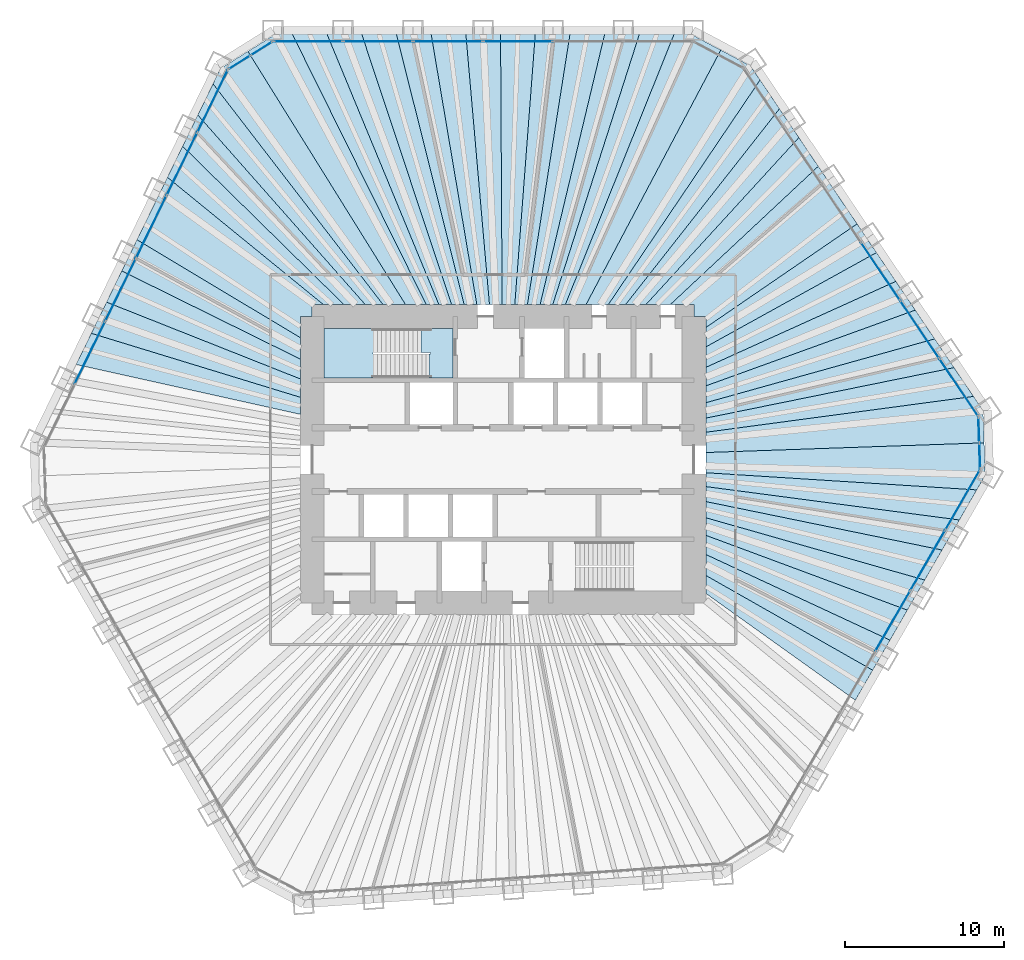
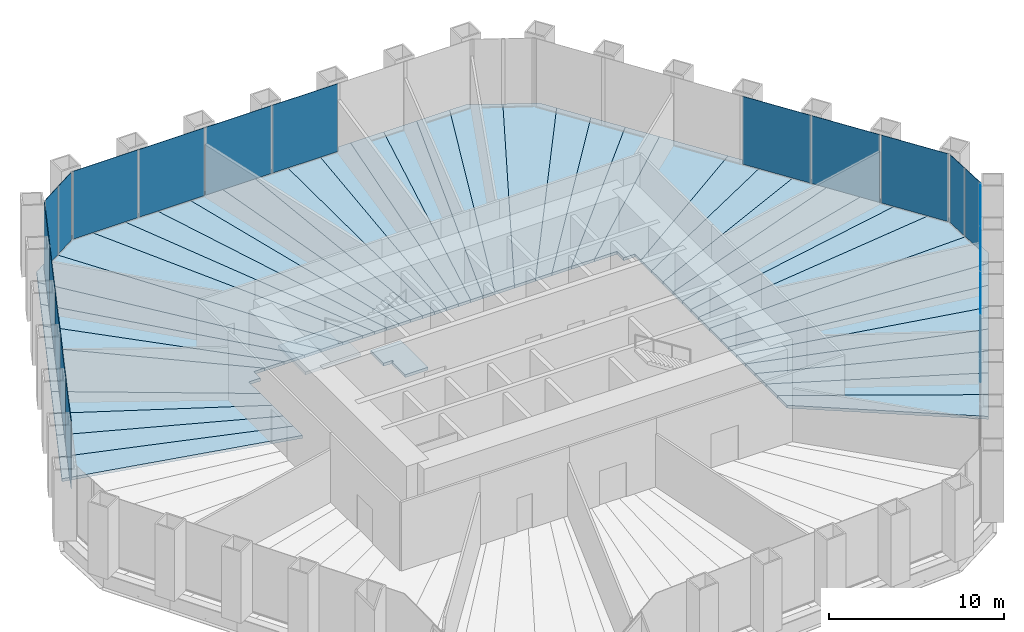
# One storey, part 9 of 13: 44 slabs, 19 plates, 7 elements without a shape of their own.
"""IFC4 building model written with IfcOpenShell, lengths in metres."""

from ifc_helpers import new_model, si_unit, direction, frame, origin, origin_2d, place, context, subcontext, project, spatial, polyline, rectangle, outline, extrude, material, layer, layer_set, type_object, element, aggregate, save


model = new_model("IFC4")

# Units and contexts
model_context = context("Model", 3, precision=1e-05, world=origin(), true_north=direction((0.0, 1.0)))
body_context = subcontext(model_context, "Body", "Model", "MODEL_VIEW")
ifc_project = project(units=[si_unit("LENGTHUNIT", "METRE"), si_unit("AREAUNIT", "SQUARE_METRE"), si_unit("VOLUMEUNIT", "CUBIC_METRE"), si_unit("PLANEANGLEUNIT", "RADIAN"), si_unit("MASSUNIT", "GRAM", prefix="KILO")], contexts=[model_context])

# Site, building, storey
site_placement = place(None, origin())
site = spatial("IfcSite", under=ifc_project, at=site_placement, CompositionType="ELEMENT")
building_placement = place(site_placement, origin())
building = spatial("IfcBuilding", under=site, at=building_placement, Name="Qingtian Harvest Tower", CompositionType="ELEMENT")
storey_placement = place(building_placement, frame((0.0, 0.0, 72.0)))
storey = spatial("IfcBuildingStorey", under=building, at=storey_placement, Name="L14", CompositionType="ELEMENT", Elevation=72.0)

# Slabs
ifc_material_1 = material(Name="Concrete fc' 35 MPa", Category="concrete")
ifc_layer_1 = layer(ifc_material_1, 0.199951171875)
ifc_layer_set_1 = layer_set([ifc_layer_1], Name="Composite floor slab FS20 200")
slab_type_1 = type_object("IfcSlabType", Name="Composite floor slab FS20 200", PredefinedType="FLOOR", material=ifc_layer_set_1)
slab_1_placement = place(storey_placement, frame((0.0, 0.0, -0.199951171875)))
element("IfcSlab", 1, at=slab_1_placement, inside=storey, type_object=slab_type_1, Name="Floor slab L14 panel D32", PredefinedType="FLOOR", context=body_context, shape_type="SweptSolid", body=[
    extrude(outline(polyline([(12.75, -7.279052734375), (23.247802734375, -13.243408203125), (22.159423828125, -15.128662109375), (12.75, -8.4091796875), (12.75, -7.279052734375)])), origin(), (0.0, 0.0, 1.0), 0.199951171875),
])
slab_2_placement = place(storey_placement, frame((0.0, 0.0, -0.199951171875)))
element("IfcSlab", 2, at=slab_2_placement, inside=storey, type_object=slab_type_1, Name="Floor slab L14 panel D33", PredefinedType="FLOOR", context=body_context, shape_type="SweptSolid", body=[
    extrude(outline(polyline([(12.75, -5.96142578125), (24.339111328125, -11.353515625), (23.247802734375, -13.243408203125), (12.75, -7.279052734375), (12.75, -5.96142578125)])), origin(), (0.0, 0.0, 1.0), 0.199951171875),
])
slab_3_placement = place(storey_placement, frame((0.0, 0.0, -0.199951171875)))
element("IfcSlab", 3, at=slab_3_placement, inside=storey, type_object=slab_type_1, Name="Floor slab L14 panel D34", PredefinedType="FLOOR", context=body_context, shape_type="SweptSolid", body=[
    extrude(outline(polyline([(12.75, -4.757080078125), (25.43017578125, -9.46337890625), (24.339111328125, -11.353515625), (12.75, -5.96142578125), (12.75, -4.757080078125)])), origin(), (0.0, 0.0, 1.0), 0.199951171875),
])
slab_4_placement = place(storey_placement, frame((0.0, 0.0, -0.199951171875)))
element("IfcSlab", 4, at=slab_4_placement, inside=storey, type_object=slab_type_1, Name="Floor slab L14 panel D35", PredefinedType="FLOOR", context=body_context, shape_type="SweptSolid", body=[
    extrude(outline(polyline([(12.75, -3.651611328125), (26.521484375, -7.573486328125), (25.43017578125, -9.46337890625), (12.75, -4.757080078125), (12.75, -3.651611328125)])), origin(), (0.0, 0.0, 1.0), 0.199951171875),
])
slab_5_placement = place(storey_placement, frame((0.0, 0.0, -0.199951171875)))
element("IfcSlab", 5, at=slab_5_placement, inside=storey, type_object=slab_type_1, Name="Floor slab L14 panel D36", PredefinedType="FLOOR", context=body_context, shape_type="SweptSolid", body=[
    extrude(outline(polyline([(12.75, -2.634033203125), (27.612548828125, -5.68359375), (26.521484375, -7.573486328125), (12.75, -3.651611328125), (12.75, -2.634033203125)])), origin(), (0.0, 0.0, 1.0), 0.199951171875),
])
slab_6_placement = place(storey_placement, frame((0.0, 0.0, -0.199951171875)))
element("IfcSlab", 6, at=slab_6_placement, inside=storey, type_object=slab_type_1, Name="Floor slab L14 panel D37", PredefinedType="FLOOR", context=body_context, shape_type="SweptSolid", body=[
    extrude(outline(polyline([(12.75, -1.693603515625), (28.703857421875, -3.793701171875), (27.612548828125, -5.68359375), (12.75, -2.634033203125), (12.75, -1.693603515625)])), origin(), (0.0, 0.0, 1.0), 0.199951171875),
])
slab_7_placement = place(storey_placement, frame((0.0, 0.0, -0.199951171875)))
element("IfcSlab", 7, at=slab_7_placement, inside=storey, type_object=slab_type_1, Name="Floor slab L14 panel D38", PredefinedType="FLOOR", context=body_context, shape_type="SweptSolid", body=[
    extrude(outline(polyline([(12.75, -0.822265625), (29.794921875, -1.903564453125), (28.703857421875, -3.793701171875), (12.75, -1.693603515625), (12.75, -0.822265625)])), origin(), (0.0, 0.0, 1.0), 0.199951171875),
])
slab_8_placement = place(storey_placement, frame((0.0, 0.0, -0.199951171875)))
element("IfcSlab", 8, at=slab_8_placement, inside=storey, type_object=slab_type_1, Name="Floor slab L14 panel D39", PredefinedType="FLOOR", context=body_context, shape_type="SweptSolid", body=[
    extrude(outline(polyline([(12.75, -0.822265625), (12.75, 0.447265625), (30.2587890625, 1.056640625), (30.32958984375, -0.9775390625), (29.794921875, -1.903564453125), (12.75, -0.822265625)])), origin(), (0.0, 0.0, 1.0), 0.199951171875),
])
slab_9_placement = place(storey_placement, frame((0.0, 0.0, -0.199951171875)))
element("IfcSlab", 9, at=slab_9_placement, inside=storey, type_object=slab_type_1, Name="Floor slab L14 panel D40", PredefinedType="FLOOR", context=body_context, shape_type="SweptSolid", body=[
    extrude(outline(polyline([(12.75, 0.447265625), (12.75, 1.72265625), (29.589599609375, 3.977294921875), (30.187744140625, 3.0908203125), (30.2587890625, 1.056640625), (12.75, 0.447265625)])), origin(), (0.0, 0.0, 1.0), 0.199951171875),
])
slab_10_placement = place(storey_placement, frame((0.0, 0.0, -0.199951171875)))
element("IfcSlab", 10, at=slab_10_placement, inside=storey, type_object=slab_type_1, Name="Floor slab L14 panel D41", PredefinedType="FLOOR", context=body_context, shape_type="SweptSolid", body=[
    extrude(outline(polyline([(12.75, 2.610595703125), (28.369140625, 5.78662109375), (29.589599609375, 3.977294921875), (12.75, 1.72265625), (12.75, 2.610595703125)])), origin(), (0.0, 0.0, 1.0), 0.199951171875),
])
slab_11_placement = place(storey_placement, frame((0.0, 0.0, -0.199951171875)))
element("IfcSlab", 11, at=slab_11_placement, inside=storey, type_object=slab_type_1, Name="Floor slab L14 panel D42", PredefinedType="FLOOR", context=body_context, shape_type="SweptSolid", body=[
    extrude(outline(polyline([(12.75, 3.57861328125), (27.14892578125, 7.595947265625), (28.369140625, 5.78662109375), (12.75, 2.610595703125), (12.75, 3.57861328125)])), origin(), (0.0, 0.0, 1.0), 0.199951171875),
])
slab_12_placement = place(storey_placement, frame((0.0, 0.0, -0.199951171875)))
element("IfcSlab", 12, at=slab_12_placement, inside=storey, type_object=slab_type_1, Name="Floor slab L14 panel D43", PredefinedType="FLOOR", context=body_context, shape_type="SweptSolid", body=[
    extrude(outline(polyline([(12.75, 4.6376953125), (25.928466796875, 9.405029296875), (27.14892578125, 7.595947265625), (12.75, 3.57861328125), (12.75, 4.6376953125)])), origin(), (0.0, 0.0, 1.0), 0.199951171875),
])
slab_13_placement = place(storey_placement, frame((0.0, 0.0, -0.199951171875)))
element("IfcSlab", 13, at=slab_13_placement, inside=storey, type_object=slab_type_1, Name="Floor slab L14 panel D44", PredefinedType="FLOOR", context=body_context, shape_type="SweptSolid", body=[
    extrude(outline(polyline([(12.75, 5.8017578125), (24.708251953125, 11.21435546875), (25.928466796875, 9.405029296875), (12.75, 4.6376953125), (12.75, 5.8017578125)])), origin(), (0.0, 0.0, 1.0), 0.199951171875),
])
slab_14_placement = place(storey_placement, frame((0.0, 0.0, -0.199951171875)))
element("IfcSlab", 14, at=slab_14_placement, inside=storey, type_object=slab_type_1, Name="Floor slab L14 panel D45", PredefinedType="FLOOR", context=body_context, shape_type="SweptSolid", body=[
    extrude(outline(polyline([(12.75, 7.087158203125), (23.48779296875, 13.023681640625), (24.708251953125, 11.21435546875), (12.75, 5.8017578125), (12.75, 7.087158203125)])), origin(), (0.0, 0.0, 1.0), 0.199951171875),
])
slab_15_placement = place(storey_placement, frame((0.0, 0.0, -0.199951171875)))
element("IfcSlab", 15, at=slab_15_placement, inside=storey, type_object=slab_type_1, Name="Floor slab L14 panel D46", PredefinedType="FLOOR", context=body_context, shape_type="SweptSolid", body=[
    extrude(outline(polyline([(12.75, 8.30615234375), (22.26953125, 14.829833984375), (23.48779296875, 13.023681640625), (12.75, 7.087158203125), (12.75, 8.30615234375)])), origin(), (0.0, 0.0, 1.0), 0.199951171875),
])
slab_16_placement = place(storey_placement, frame((0.0, 0.0, -0.199951171875)))
element("IfcSlab", 16, at=slab_16_placement, inside=storey, type_object=slab_type_1, Name="Floor slab L14 panel D48", PredefinedType="FLOOR", context=body_context, shape_type="SweptSolid", body=[
    extrude(outline(polyline([(19.8271484375, 18.45068359375), (22.26953125, 14.829833984375), (12.75, 8.30615234375), (12.75, 9.0), (12.0, 9.0), (12.0, 9.75), (10.51806640625, 9.75), (19.8271484375, 18.45068359375)])), origin(), (0.0, 0.0, 1.0), 0.199951171875),
])
slab_17_placement = place(storey_placement, frame((0.0, 0.0, -0.199951171875)))
element("IfcSlab", 17, at=slab_17_placement, inside=storey, type_object=slab_type_1, Name="Floor slab L14 panel D49", PredefinedType="FLOOR", context=body_context, shape_type="SweptSolid", body=[
    extrude(outline(polyline([(8.985107421875, 9.75), (18.60693359375, 20.260009765625), (19.8271484375, 18.45068359375), (10.51806640625, 9.75), (8.985107421875, 9.75)])), origin(), (0.0, 0.0, 1.0), 0.199951171875),
])
slab_18_placement = place(storey_placement, frame((0.0, 0.0, -0.199951171875)))
element("IfcSlab", 18, at=slab_18_placement, inside=storey, type_object=slab_type_1, Name="Floor slab L14 panel D50", PredefinedType="FLOOR", context=body_context, shape_type="SweptSolid", body=[
    extrude(outline(polyline([(7.705078125, 9.75), (17.386474609375, 22.0693359375), (18.60693359375, 20.260009765625), (8.985107421875, 9.75), (7.705078125, 9.75)])), origin(), (0.0, 0.0, 1.0), 0.199951171875),
])
slab_19_placement = place(storey_placement, frame((0.0, 0.0, -0.199951171875)))
element("IfcSlab", 19, at=slab_19_placement, inside=storey, type_object=slab_type_1, Name="Floor slab L14 panel D51", PredefinedType="FLOOR", context=body_context, shape_type="SweptSolid", body=[
    extrude(outline(polyline([(6.61962890625, 9.75), (16.166015625, 23.87841796875), (17.386474609375, 22.0693359375), (7.705078125, 9.75), (6.61962890625, 9.75)])), origin(), (0.0, 0.0, 1.0), 0.199951171875),
])
slab_20_placement = place(storey_placement, frame((0.0, 0.0, -0.199951171875)))
element("IfcSlab", 20, at=slab_20_placement, inside=storey, type_object=slab_type_1, Name="Floor slab L14 panel D52", PredefinedType="FLOOR", context=body_context, shape_type="SweptSolid", body=[
    extrude(outline(polyline([(6.61962890625, 9.75), (5.21875, 9.75), (13.697265625, 25.760009765625), (15.56787109375, 24.765380859375), (16.166015625, 23.87841796875), (6.61962890625, 9.75)])), origin(), (0.0, 0.0, 1.0), 0.199951171875),
])
slab_21_placement = place(storey_placement, frame((0.0, 0.0, -0.199951171875)))
element("IfcSlab", 21, at=slab_21_placement, inside=storey, type_object=slab_type_1, Name="Floor slab L14 panel D53", PredefinedType="FLOOR", context=body_context, shape_type="SweptSolid", body=[
    extrude(outline(polyline([(3.919921875, 9.75), (10.756591796875, 26.7548828125), (11.825927734375, 26.7548828125), (13.697265625, 25.760009765625), (5.21875, 9.75), (3.919921875, 9.75)])), origin(), (0.0, 0.0, 1.0), 0.199951171875),
])
slab_22_placement = place(storey_placement, frame((0.0, 0.0, -0.199951171875)))
element("IfcSlab", 22, at=slab_22_placement, inside=storey, type_object=slab_type_1, Name="Floor slab L14 panel D54", PredefinedType="FLOOR", context=body_context, shape_type="SweptSolid", body=[
    extrude(outline(polyline([(3.12451171875, 9.75), (8.57421875, 26.7548828125), (10.756591796875, 26.7548828125), (3.919921875, 9.75), (3.12451171875, 9.75)])), origin(), (0.0, 0.0, 1.0), 0.199951171875),
])
slab_23_placement = place(storey_placement, frame((0.0, 0.0, -0.199951171875)))
element("IfcSlab", 23, at=slab_23_placement, inside=storey, type_object=slab_type_1, Name="Floor slab L14 panel D55", PredefinedType="FLOOR", context=body_context, shape_type="SweptSolid", body=[
    extrude(outline(polyline([(2.329345703125, 9.75), (6.391845703125, 26.7548828125), (8.57421875, 26.7548828125), (3.12451171875, 9.75), (2.329345703125, 9.75)])), origin(), (0.0, 0.0, 1.0), 0.199951171875),
])
slab_24_placement = place(storey_placement, frame((0.0, 0.0, -0.199951171875)))
element("IfcSlab", 24, at=slab_24_placement, inside=storey, type_object=slab_type_1, Name="Floor slab L14 panel D56", PredefinedType="FLOOR", context=body_context, shape_type="SweptSolid", body=[
    extrude(outline(polyline([(1.533935546875, 9.75), (4.20947265625, 26.7548828125), (6.391845703125, 26.7548828125), (2.329345703125, 9.75), (1.533935546875, 9.75)])), origin(), (0.0, 0.0, 1.0), 0.199951171875),
])
slab_25_placement = place(storey_placement, frame((0.0, 0.0, -0.199951171875)))
element("IfcSlab", 25, at=slab_25_placement, inside=storey, type_object=slab_type_1, Name="Floor slab L14 panel D57", PredefinedType="FLOOR", context=body_context, shape_type="SweptSolid", body=[
    extrude(outline(polyline([(0.73876953125, 9.75), (2.02734375, 26.7548828125), (4.20947265625, 26.7548828125), (1.533935546875, 9.75), (0.73876953125, 9.75)])), origin(), (0.0, 0.0, 1.0), 0.199951171875),
])
slab_26_placement = place(storey_placement, frame((0.0, 0.0, -0.199951171875)))
element("IfcSlab", 26, at=slab_26_placement, inside=storey, type_object=slab_type_1, Name="Floor slab L14 panel D58", PredefinedType="FLOOR", context=body_context, shape_type="SweptSolid", body=[
    extrude(outline(polyline([(-0.056396484375, 9.75), (-0.155029296875, 26.7548828125), (2.02734375, 26.7548828125), (0.73876953125, 9.75), (-0.056396484375, 9.75)])), origin(), (0.0, 0.0, 1.0), 0.199951171875),
])
slab_27_placement = place(storey_placement, frame((0.0, 0.0, -0.199951171875)))
element("IfcSlab", 27, at=slab_27_placement, inside=storey, type_object=slab_type_1, Name="Floor slab L14 panel D59", PredefinedType="FLOOR", context=body_context, shape_type="SweptSolid", body=[
    extrude(outline(polyline([(-0.851806640625, 9.75), (-2.33740234375, 26.7548828125), (-0.155029296875, 26.7548828125), (-0.056396484375, 9.75), (-0.851806640625, 9.75)])), origin(), (0.0, 0.0, 1.0), 0.199951171875),
])
slab_28_placement = place(storey_placement, frame((0.0, 0.0, -0.199951171875)))
element("IfcSlab", 28, at=slab_28_placement, inside=storey, type_object=slab_type_1, Name="Floor slab L14 panel D60", PredefinedType="FLOOR", context=body_context, shape_type="SweptSolid", body=[
    extrude(outline(polyline([(-1.64697265625, 9.75), (-4.519775390625, 26.7548828125), (-2.33740234375, 26.7548828125), (-0.851806640625, 9.75), (-1.64697265625, 9.75)])), origin(), (0.0, 0.0, 1.0), 0.199951171875),
])
slab_29_placement = place(storey_placement, frame((0.0, 0.0, -0.199951171875)))
element("IfcSlab", 29, at=slab_29_placement, inside=storey, type_object=slab_type_1, Name="Floor slab L14 panel D61", PredefinedType="FLOOR", context=body_context, shape_type="SweptSolid", body=[
    extrude(outline(polyline([(-2.4423828125, 9.75), (-6.7021484375, 26.7548828125), (-4.519775390625, 26.7548828125), (-1.64697265625, 9.75), (-2.4423828125, 9.75)])), origin(), (0.0, 0.0, 1.0), 0.199951171875),
])
slab_30_placement = place(storey_placement, frame((0.0, 0.0, -0.199951171875)))
element("IfcSlab", 30, at=slab_30_placement, inside=storey, type_object=slab_type_1, Name="Floor slab L14 panel D62", PredefinedType="FLOOR", context=body_context, shape_type="SweptSolid", body=[
    extrude(outline(polyline([(-3.237548828125, 9.75), (-8.88427734375, 26.7548828125), (-6.7021484375, 26.7548828125), (-2.4423828125, 9.75), (-3.237548828125, 9.75)])), origin(), (0.0, 0.0, 1.0), 0.199951171875),
])
slab_31_placement = place(storey_placement, frame((0.0, 0.0, -0.199951171875)))
element("IfcSlab", 31, at=slab_31_placement, inside=storey, type_object=slab_type_1, Name="Floor slab L14 panel D63", PredefinedType="FLOOR", context=body_context, shape_type="SweptSolid", body=[
    extrude(outline(polyline([(-4.032958984375, 9.75), (-11.066650390625, 26.7548828125), (-8.88427734375, 26.7548828125), (-3.237548828125, 9.75), (-4.032958984375, 9.75)])), origin(), (0.0, 0.0, 1.0), 0.199951171875),
])
slab_32_placement = place(storey_placement, frame((0.0, 0.0, -0.199951171875)))
element("IfcSlab", 32, at=slab_32_placement, inside=storey, type_object=slab_type_1, Name="Floor slab L14 panel D64", PredefinedType="FLOOR", context=body_context, shape_type="SweptSolid", body=[
    extrude(outline(polyline([(-4.828125, 9.75), (-13.2490234375, 26.7548828125), (-11.066650390625, 26.7548828125), (-4.032958984375, 9.75), (-4.828125, 9.75)])), origin(), (0.0, 0.0, 1.0), 0.199951171875),
])
slab_33_placement = place(storey_placement, frame((0.0, 0.0, -0.199951171875)))
element("IfcSlab", 33, at=slab_33_placement, inside=storey, type_object=slab_type_1, Name="Floor slab L14 panel D65", PredefinedType="FLOOR", context=body_context, shape_type="SweptSolid", body=[
    extrude(outline(polyline([(-4.828125, 9.75), (-6.130126953125, 9.75), (-16.044921875, 25.67626953125), (-14.318359375, 26.7548828125), (-13.2490234375, 26.7548828125), (-4.828125, 9.75)])), origin(), (0.0, 0.0, 1.0), 0.199951171875),
])
slab_34_placement = place(storey_placement, frame((0.0, 0.0, -0.199951171875)))
element("IfcSlab", 34, at=slab_34_placement, inside=storey, type_object=slab_type_1, Name="Floor slab L14 panel D66", PredefinedType="FLOOR", context=body_context, shape_type="SweptSolid", body=[
    extrude(outline(polyline([(-6.130126953125, 9.75), (-7.544677734375, 9.75), (-18.239501953125, 23.636474609375), (-17.7705078125, 24.597900390625), (-16.044921875, 25.67626953125), (-6.130126953125, 9.75)])), origin(), (0.0, 0.0, 1.0), 0.199951171875),
])
slab_35_placement = place(storey_placement, frame((0.0, 0.0, -0.199951171875)))
element("IfcSlab", 35, at=slab_35_placement, inside=storey, type_object=slab_type_1, Name="Floor slab L14 panel D67", PredefinedType="FLOOR", context=body_context, shape_type="SweptSolid", body=[
    extrude(outline(polyline([(-8.662109375, 9.75), (-19.196044921875, 21.675048828125), (-18.239501953125, 23.636474609375), (-7.544677734375, 9.75), (-8.662109375, 9.75)])), origin(), (0.0, 0.0, 1.0), 0.199951171875),
])
slab_36_placement = place(storey_placement, frame((0.0, 0.0, -0.199951171875)))
element("IfcSlab", 36, at=slab_36_placement, inside=storey, type_object=slab_type_1, Name="Floor slab L14 panel D68", PredefinedType="FLOOR", context=body_context, shape_type="SweptSolid", body=[
    extrude(outline(polyline([(-10.00341796875, 9.75), (-20.15283203125, 19.71337890625), (-19.196044921875, 21.675048828125), (-8.662109375, 9.75), (-10.00341796875, 9.75)])), origin(), (0.0, 0.0, 1.0), 0.199951171875),
])
slab_37_placement = place(storey_placement, frame((0.0, 0.0, -0.199951171875)))
element("IfcSlab", 37, at=slab_37_placement, inside=storey, type_object=slab_type_1, Name="Floor slab L14 panel D69", PredefinedType="FLOOR", context=body_context, shape_type="SweptSolid", body=[
    extrude(outline(polyline([(-11.2939453125, 9.75), (-21.107666015625, 17.755859375), (-20.15283203125, 19.71337890625), (-10.00341796875, 9.75), (-11.2939453125, 9.75)])), origin(), (0.0, 0.0, 1.0), 0.199951171875),
])
slab_38_placement = place(storey_placement, frame((0.0, 0.0, -0.199951171875)))
element("IfcSlab", 38, at=slab_38_placement, inside=storey, type_object=slab_type_1, Name="Floor slab L14 panel D70", PredefinedType="FLOOR", context=body_context, shape_type="SweptSolid", body=[
    extrude(outline(polyline([(-12.0, 9.0), (-12.75, 9.0), (-12.75, 7.67333984375), (-23.0224609375, 13.82958984375), (-21.107666015625, 17.755859375), (-11.2939453125, 9.75), (-12.0, 9.75), (-12.0, 9.0)])), origin(), (0.0, 0.0, 1.0), 0.199951171875),
])
slab_39_placement = place(storey_placement, frame((0.0, 0.0, -0.199951171875)))
element("IfcSlab", 39, at=slab_39_placement, inside=storey, type_object=slab_type_1, Name="Floor slab L14 panel D72", PredefinedType="FLOOR", context=body_context, shape_type="SweptSolid", body=[
    extrude(outline(polyline([(-12.75, 6.3232421875), (-23.979248046875, 11.8681640625), (-23.0224609375, 13.82958984375), (-12.75, 7.67333984375), (-12.75, 6.3232421875)])), origin(), (0.0, 0.0, 1.0), 0.199951171875),
])
slab_40_placement = place(storey_placement, frame((0.0, 0.0, -0.199951171875)))
element("IfcSlab", 40, at=slab_40_placement, inside=storey, type_object=slab_type_1, Name="Floor slab L14 panel D73", PredefinedType="FLOOR", context=body_context, shape_type="SweptSolid", body=[
    extrude(outline(polyline([(-12.75, 5.076904296875), (-24.935791015625, 9.90673828125), (-23.979248046875, 11.8681640625), (-12.75, 6.3232421875), (-12.75, 5.076904296875)])), origin(), (0.0, 0.0, 1.0), 0.199951171875),
])
slab_41_placement = place(storey_placement, frame((0.0, 0.0, -0.199951171875)))
element("IfcSlab", 41, at=slab_41_placement, inside=storey, type_object=slab_type_1, Name="Floor slab L14 panel D74", PredefinedType="FLOOR", context=body_context, shape_type="SweptSolid", body=[
    extrude(outline(polyline([(-12.75, 3.922607421875), (-25.892578125, 7.9453125), (-24.935791015625, 9.90673828125), (-12.75, 5.076904296875), (-12.75, 3.922607421875)])), origin(), (0.0, 0.0, 1.0), 0.199951171875),
])
slab_42_placement = place(storey_placement, frame((0.0, 0.0, -0.199951171875)))
element("IfcSlab", 42, at=slab_42_placement, inside=storey, type_object=slab_type_1, Name="Floor slab L14 panel D75", PredefinedType="FLOOR", context=body_context, shape_type="SweptSolid", body=[
    extrude(outline(polyline([(-12.75, 2.8505859375), (-26.84912109375, 5.98388671875), (-25.892578125, 7.9453125), (-12.75, 3.922607421875), (-12.75, 2.8505859375)])), origin(), (0.0, 0.0, 1.0), 0.199951171875),
])

# Curtain wall, plates
ifc_material_2 = material(Name="Bronze-anodised aluminium curtain wall", Category="aluminium")
curtain_wall_type = type_object("IfcCurtainWallType", Name="Curtain wall CW2 farm reception", PredefinedType="USERDEFINED", material=ifc_material_2)
curtain_wall_1_placement = place(storey_placement, origin())
curtain_wall_1 = element("IfcCurtainWall", 43, at=curtain_wall_1_placement, inside=storey, type_object=curtain_wall_type, Name="Curtain wall CW2 L14 N0-5", ObjectType="RECESSED CURTAIN WALL", PredefinedType="USERDEFINED")
ifc_material_3 = material(Name="Bronze-tinted laminated insulating glass", Category="glass")
ifc_layer_2 = layer(ifc_material_3, 0.030029296875)
ifc_layer_set_2 = layer_set([ifc_layer_2], Name="Glazed panel CWP tinted IGU")
plate_type = type_object("IfcPlateType", Name="Glazed panel CWP tinted IGU", PredefinedType="CURTAIN_PANEL", material=ifc_layer_set_2)
plate_1_placement = place(storey_placement, frame((-12.2529296875, 26.300048828125, 0.06494140625), z_axis=(0.0, 0.0, 1.0), x_axis=(1.0, 0.0, 0.0)))
plate_1 = element("IfcPlate", 44, at=plate_1_placement, type_object=plate_type, Name="CW2 panel 1.1", PredefinedType="CURTAIN_PANEL", context=body_context, shape_type="SweptSolid", body=[
    extrude(rectangle(XDim=4.30712890625, YDim=0.030029296875, at=origin_2d()), origin(), (0.0, 0.0, 1.0), 4.735107421875),
])
plate_2_placement = place(storey_placement, frame((-7.864501953125, 26.300048828125, 0.06494140625), z_axis=(0.0, 0.0, 1.0), x_axis=(1.0, 0.0, 0.0)))
plate_2 = element("IfcPlate", 45, at=plate_2_placement, type_object=plate_type, Name="CW2 panel 2.1", PredefinedType="CURTAIN_PANEL", context=body_context, shape_type="SweptSolid", body=[
    extrude(rectangle(XDim=4.339599609375, YDim=0.030029296875, at=origin_2d()), origin(), (0.0, 0.0, 1.0), 4.735107421875),
])
plate_3_placement = place(storey_placement, frame((-3.4599609375, 26.300048828125, 0.06494140625), z_axis=(0.0, 0.0, 1.0), x_axis=(1.0, 0.0, 0.0)))
plate_3 = element("IfcPlate", 46, at=plate_3_placement, type_object=plate_type, Name="CW2 panel 3.1", PredefinedType="CURTAIN_PANEL", context=body_context, shape_type="SweptSolid", body=[
    extrude(rectangle(XDim=4.339599609375, YDim=0.030029296875, at=origin_2d()), origin(), (0.0, 0.0, 1.0), 4.735107421875),
])
plate_4_placement = place(storey_placement, frame((0.944580078125, 26.300048828125, 0.06494140625), z_axis=(0.0, 0.0, 1.0), x_axis=(1.0, 0.0, 0.0)))
plate_4 = element("IfcPlate", 47, at=plate_4_placement, type_object=plate_type, Name="CW2 panel 4.1", PredefinedType="CURTAIN_PANEL", context=body_context, shape_type="SweptSolid", body=[
    extrude(rectangle(XDim=4.339599609375, YDim=0.030029296875, at=origin_2d()), origin(), (0.0, 0.0, 1.0), 4.735107421875),
])
aggregate(curtain_wall_1, [plate_1, plate_2, plate_3, plate_4])

curtain_wall_2_placement = place(storey_placement, origin())
curtain_wall_2 = element("IfcCurtainWall", 48, at=curtain_wall_2_placement, inside=storey, type_object=curtain_wall_type, Name="Curtain wall CW2 L14 NE0-5", ObjectType="RECESSED CURTAIN WALL", PredefinedType="USERDEFINED")
plate_5_placement = place(storey_placement, frame((23.738525390625, 11.83837890625, 0.06494140625), z_axis=(0.0, 0.0, 1.0), x_axis=(0.559192903471, -0.829037572555, 0.0)))
plate_5 = element("IfcPlate", 49, at=plate_5_placement, type_object=plate_type, Name="CW2 panel 4.1", PredefinedType="CURTAIN_PANEL", context=body_context, shape_type="SweptSolid", body=[
    extrude(rectangle(XDim=4.339599609375, YDim=0.030029296875, at=origin_2d()), origin(), (0.0, 0.0, 1.0), 4.735107421875),
])
plate_6_placement = place(storey_placement, frame((26.201416015625, 8.186767578125, 0.06494140625), z_axis=(0.0, 0.0, 1.0), x_axis=(0.559192903471, -0.829037572555, 0.0)))
plate_6 = element("IfcPlate", 50, at=plate_6_placement, type_object=plate_type, Name="CW2 panel 5.1", PredefinedType="CURTAIN_PANEL", context=body_context, shape_type="SweptSolid", body=[
    extrude(rectangle(XDim=4.339599609375, YDim=0.030029296875, at=origin_2d()), origin(), (0.0, 0.0, 1.0), 4.735107421875),
])
plate_7_placement = place(storey_placement, frame((28.655517578125, 4.548583984375, 0.06494140625), z_axis=(0.0, 0.0, 1.0), x_axis=(0.559192903471, -0.829037572555, 0.0)))
plate_7 = element("IfcPlate", 51, at=plate_7_placement, type_object=plate_type, Name="CW2 panel 6.1", PredefinedType="CURTAIN_PANEL", context=body_context, shape_type="SweptSolid", body=[
    extrude(rectangle(XDim=4.30712890625, YDim=0.030029296875, at=origin_2d()), origin(), (0.0, 0.0, 1.0), 4.735107421875),
])
aggregate(curtain_wall_2, [plate_5, plate_6, plate_7])

curtain_wall_3_placement = place(storey_placement, origin())
curtain_wall_3 = element("IfcCurtainWall", 52, at=curtain_wall_3_placement, inside=storey, type_object=curtain_wall_type, Name="Curtain wall CW2 L14 NEC", ObjectType="RECESSED CURTAIN WALL", PredefinedType="USERDEFINED")
plate_8_placement = place(storey_placement, frame((29.925537109375, 1.861572265625, 0.06494140625), z_axis=(0.0, 0.0, 1.0), x_axis=(0.034899496703, -0.999390827019, 0.0)))
plate_8 = element("IfcPlate", 53, at=plate_8_placement, type_object=plate_type, Name="CW2 panel 1.1", PredefinedType="CURTAIN_PANEL", context=body_context, shape_type="SweptSolid", body=[
    extrude(rectangle(XDim=1.56689453125, YDim=0.030029296875, at=origin_2d()), origin(), (0.0, 0.0, 1.0), 4.735107421875),
])
plate_9_placement = place(storey_placement, frame((29.982666015625, 0.23046875, 0.06494140625), z_axis=(0.0, 0.0, 1.0), x_axis=(0.034899496703, -0.999390827019, 0.0)))
plate_9 = element("IfcPlate", 54, at=plate_9_placement, type_object=plate_type, Name="CW2 panel 2.1", PredefinedType="CURTAIN_PANEL", context=body_context, shape_type="SweptSolid", body=[
    extrude(rectangle(XDim=1.56689453125, YDim=0.030029296875, at=origin_2d()), origin(), (0.0, 0.0, 1.0), 4.735107421875),
])
aggregate(curtain_wall_3, [plate_8, plate_9])

curtain_wall_4_placement = place(storey_placement, origin())
curtain_wall_4 = element("IfcCurtainWall", 55, at=curtain_wall_4_placement, inside=storey, type_object=curtain_wall_type, Name="Curtain wall CW2 L14 SE0-5", ObjectType="RECESSED CURTAIN WALL", PredefinedType="USERDEFINED")
plate_10_placement = place(storey_placement, frame((28.90283203125, -2.53857421875, 0.06494140625), z_axis=(0.0, 0.0, 1.0), x_axis=(-0.5, -0.866025403784, 0.0)))
plate_10 = element("IfcPlate", 56, at=plate_10_placement, type_object=plate_type, Name="CW2 panel 1.1", PredefinedType="CURTAIN_PANEL", context=body_context, shape_type="SweptSolid", body=[
    extrude(rectangle(XDim=4.30712890625, YDim=0.030029296875, at=origin_2d()), origin(), (0.0, 0.0, 1.0), 4.735107421875),
])
plate_11_placement = place(storey_placement, frame((26.708740234375, -6.339111328125, 0.06494140625), z_axis=(0.0, 0.0, 1.0), x_axis=(-0.5, -0.866025403784, 0.0)))
plate_11 = element("IfcPlate", 57, at=plate_11_placement, type_object=plate_type, Name="CW2 panel 2.1", PredefinedType="CURTAIN_PANEL", context=body_context, shape_type="SweptSolid", body=[
    extrude(rectangle(XDim=4.339599609375, YDim=0.030029296875, at=origin_2d()), origin(), (0.0, 0.0, 1.0), 4.735107421875),
])
plate_12_placement = place(storey_placement, frame((24.50634765625, -10.153564453125, 0.06494140625), z_axis=(0.0, 0.0, 1.0), x_axis=(-0.5, -0.866025403784, 0.0)))
plate_12 = element("IfcPlate", 58, at=plate_12_placement, type_object=plate_type, Name="CW2 panel 3.1", PredefinedType="CURTAIN_PANEL", context=body_context, shape_type="SweptSolid", body=[
    extrude(rectangle(XDim=4.339599609375, YDim=0.030029296875, at=origin_2d()), origin(), (0.0, 0.0, 1.0), 4.735107421875),
])
aggregate(curtain_wall_4, [plate_10, plate_11, plate_12])

curtain_wall_5_placement = place(storey_placement, origin())
curtain_wall_5 = element("IfcCurtainWall", 59, at=curtain_wall_5_placement, inside=storey, type_object=curtain_wall_type, Name="Curtain wall CW2 L14 NW0-5", ObjectType="RECESSED CURTAIN WALL", PredefinedType="USERDEFINED")
plate_13_placement = place(storey_placement, frame((-25.983154296875, 6.72119140625, 0.06494140625), z_axis=(0.0, 0.0, 1.0), x_axis=(0.438371146789, 0.898794046299, 0.0)))
plate_13 = element("IfcPlate", 60, at=plate_13_placement, type_object=plate_type, Name="CW2 panel 2.1", PredefinedType="CURTAIN_PANEL", context=body_context, shape_type="SweptSolid", body=[
    extrude(rectangle(XDim=4.339599609375, YDim=0.030029296875, at=origin_2d()), origin(), (0.0, 0.0, 1.0), 4.735107421875),
])
plate_14_placement = place(storey_placement, frame((-24.052490234375, 10.68017578125, 0.06494140625), z_axis=(0.0, 0.0, 1.0), x_axis=(0.438371146789, 0.898794046299, 0.0)))
plate_14 = element("IfcPlate", 61, at=plate_14_placement, type_object=plate_type, Name="CW2 panel 3.1", PredefinedType="CURTAIN_PANEL", context=body_context, shape_type="SweptSolid", body=[
    extrude(rectangle(XDim=4.339599609375, YDim=0.030029296875, at=origin_2d()), origin(), (0.0, 0.0, 1.0), 4.735107421875),
])
plate_15_placement = place(storey_placement, frame((-22.12158203125, 14.638916015625, 0.06494140625), z_axis=(0.0, 0.0, 1.0), x_axis=(0.438371146789, 0.898794046299, 0.0)))
plate_15 = element("IfcPlate", 62, at=plate_15_placement, type_object=plate_type, Name="CW2 panel 4.1", PredefinedType="CURTAIN_PANEL", context=body_context, shape_type="SweptSolid", body=[
    extrude(rectangle(XDim=4.339599609375, YDim=0.030029296875, at=origin_2d()), origin(), (0.0, 0.0, 1.0), 4.735107421875),
])
plate_16_placement = place(storey_placement, frame((-20.190673828125, 18.597900390625, 0.06494140625), z_axis=(0.0, 0.0, 1.0), x_axis=(0.438371146789, 0.898794046299, 0.0)))
plate_16 = element("IfcPlate", 63, at=plate_16_placement, type_object=plate_type, Name="CW2 panel 5.1", PredefinedType="CURTAIN_PANEL", context=body_context, shape_type="SweptSolid", body=[
    extrude(rectangle(XDim=4.339599609375, YDim=0.030029296875, at=origin_2d()), origin(), (0.0, 0.0, 1.0), 4.735107421875),
])
plate_17_placement = place(storey_placement, frame((-18.266845703125, 22.5419921875, 0.06494140625), z_axis=(0.0, 0.0, 1.0), x_axis=(0.438371146789, 0.898794046299, 0.0)))
plate_17 = element("IfcPlate", 64, at=plate_17_placement, type_object=plate_type, Name="CW2 panel 6.1", PredefinedType="CURTAIN_PANEL", context=body_context, shape_type="SweptSolid", body=[
    extrude(rectangle(XDim=4.30712890625, YDim=0.030029296875, at=origin_2d()), origin(), (0.0, 0.0, 1.0), 4.735107421875),
])
aggregate(curtain_wall_5, [plate_13, plate_14, plate_15, plate_16, plate_17])

curtain_wall_6_placement = place(storey_placement, origin())
curtain_wall_6 = element("IfcCurtainWall", 65, at=curtain_wall_6_placement, inside=storey, type_object=curtain_wall_type, Name="Curtain wall CW2 L14 NWC", ObjectType="RECESSED CURTAIN WALL", PredefinedType="USERDEFINED")
plate_18_placement = place(storey_placement, frame((-16.574951171875, 24.985595703125, 0.06494140625), z_axis=(0.0, 0.0, 1.0), x_axis=(0.848048096156, 0.529919264233, 0.0)))
plate_18 = element("IfcPlate", 66, at=plate_18_placement, type_object=plate_type, Name="CW2 panel 1.1", PredefinedType="CURTAIN_PANEL", context=body_context, shape_type="SweptSolid", body=[
    extrude(rectangle(XDim=1.56689453125, YDim=0.030029296875, at=origin_2d()), origin(), (0.0, 0.0, 1.0), 4.735107421875),
])
plate_19_placement = place(storey_placement, frame((-15.19091796875, 25.850341796875, 0.06494140625), z_axis=(0.0, 0.0, 1.0), x_axis=(0.848048096156, 0.529919264233, 0.0)))
plate_19 = element("IfcPlate", 67, at=plate_19_placement, type_object=plate_type, Name="CW2 panel 2.1", PredefinedType="CURTAIN_PANEL", context=body_context, shape_type="SweptSolid", body=[
    extrude(rectangle(XDim=1.56689453125, YDim=0.030029296875, at=origin_2d()), origin(), (0.0, 0.0, 1.0), 4.735107421875),
])
aggregate(curtain_wall_6, [plate_18, plate_19])

# Stair, slabs
ifc_material_4 = material(Name="Concrete fc' 35 MPa", Category="concrete")
stair_type = type_object("IfcStairType", Name="Special stair ST2 5000", PredefinedType="HALF_TURN_STAIR", material=ifc_material_4)
stair_placement = place(storey_placement, origin())
stair = element("IfcStair", 68, at=stair_placement, inside=storey, type_object=stair_type, Name="Special stair S1 L14", PredefinedType="HALF_TURN_STAIR")
ifc_material_5 = material(Name="Concrete fc' 35 MPa", Category="concrete")
ifc_layer_3 = layer(ifc_material_5, 0.199951171875)
ifc_layer_set_3 = layer_set([ifc_layer_3], Name="Stair landing SL2 200")
slab_type_2 = type_object("IfcSlabType", Name="Stair landing SL2 200", PredefinedType="LANDING", material=ifc_layer_set_3)
slab_43_placement = place(storey_placement, frame((0.0, 0.0, -0.199951171875)))
slab_43 = element("IfcSlab", 69, at=slab_43_placement, type_object=slab_type_2, Name="S1 landing 1", PredefinedType="LANDING", context=body_context, shape_type="SweptSolid", body=[
    extrude(outline(polyline([(-4.64990234375, 5.14990234375), (-4.64990234375, 6.64990234375), (-4.550048828125, 6.64990234375), (-4.550048828125, 6.75), (-5.155029296875, 6.75), (-5.155029296875, 8.25), (-3.14990234375, 8.25), (-3.14990234375, 5.14990234375), (-4.64990234375, 5.14990234375)])), origin(), (0.0, 0.0, 1.0), 0.199951171875),
])
slab_44_placement = place(storey_placement, frame((0.0, 0.0, 2.300048828125)))
slab_44 = element("IfcSlab", 70, at=slab_44_placement, type_object=slab_type_2, Name="S1 landing 2", PredefinedType="LANDING", context=body_context, shape_type="SweptSolid", body=[
    extrude(outline(polyline([(-7.5849609375, 5.14990234375), (-11.25, 5.14990234375), (-11.25, 8.25), (-8.090087890625, 8.25), (-8.090087890625, 6.75), (-8.18994140625, 6.75), (-8.18994140625, 6.64990234375), (-7.5849609375, 6.64990234375), (-7.5849609375, 5.14990234375)])), origin(), (0.0, 0.0, 1.0), 0.199951171875),
])
aggregate(stair, [slab_43, slab_44])

save(model, "model.ifc")
